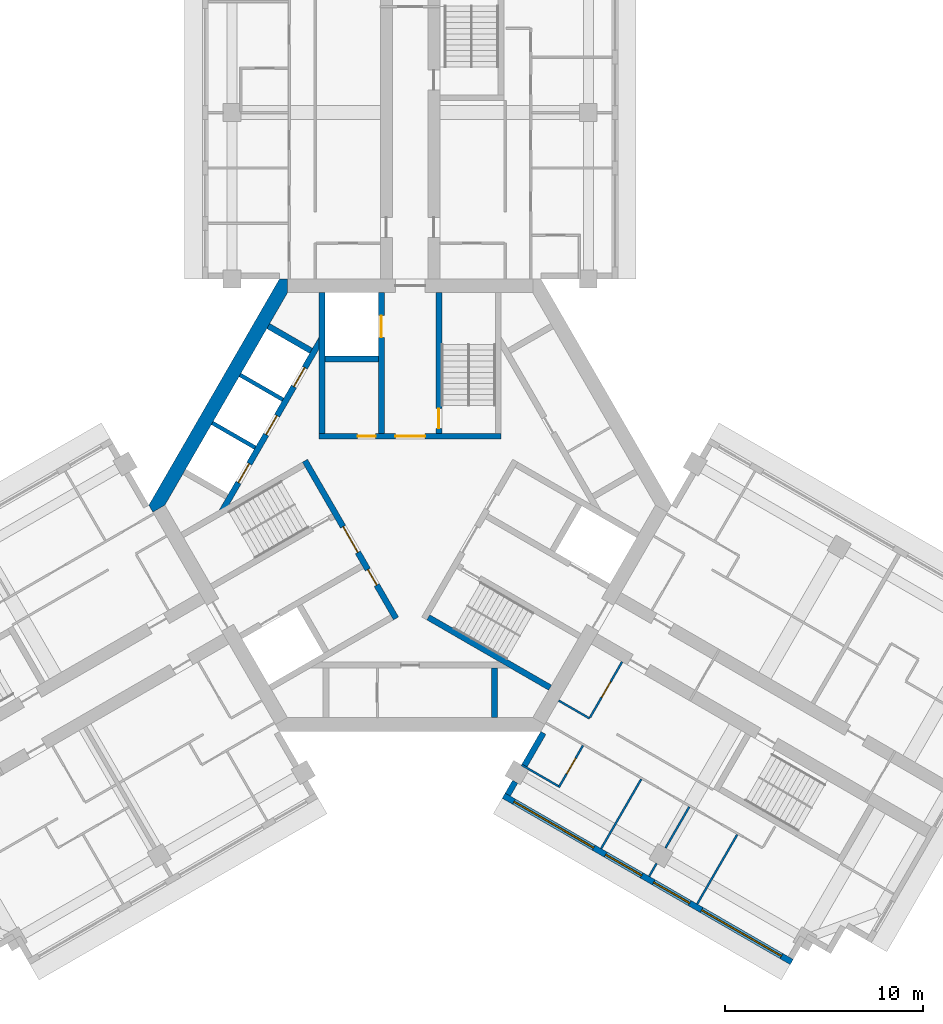
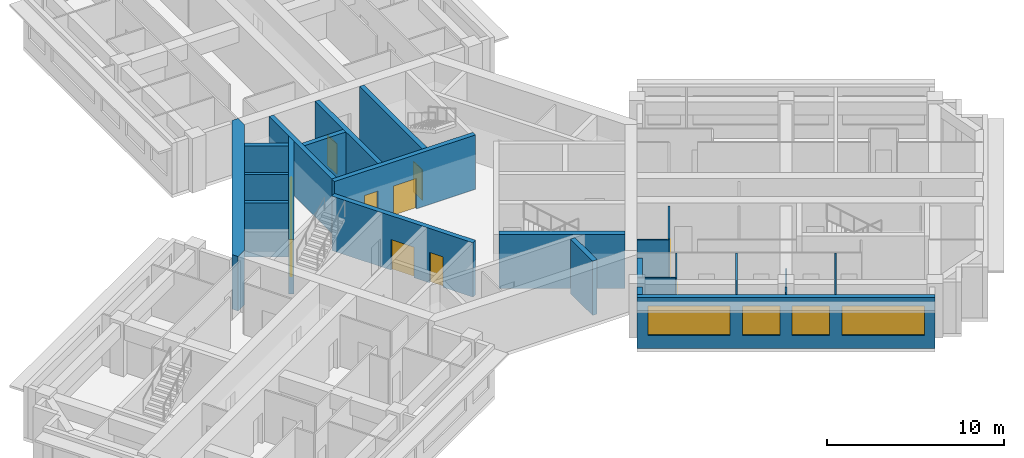
# One storey, part 4 of 10: 24 walls, 11 doors, 4 windows, 15 openings.
"""IFC4 building model written with IfcOpenShell, lengths in metres."""

from ifc_helpers import new_model, si_unit, direction, frame, frame_2d, origin, place, context, subcontext, project, spatial, polyline, rectangle, outline, extrude, material, layer, layer_set, type_object, element, fill, save


model = new_model("IFC4")

# Units and contexts
model_context = context("Model", 3, precision=1e-05, world=origin(), true_north=direction((0.0, 1.0)))
body_context = subcontext(model_context, "Body", "Model", "MODEL_VIEW")
ifc_project = project(units=[si_unit("LENGTHUNIT", "METRE"), si_unit("AREAUNIT", "SQUARE_METRE"), si_unit("VOLUMEUNIT", "CUBIC_METRE"), si_unit("PLANEANGLEUNIT", "RADIAN"), si_unit("MASSUNIT", "GRAM", prefix="KILO")], contexts=[model_context])

# Site, building, storey
site_placement = place(None, origin())
site = spatial("IfcSite", under=ifc_project, at=site_placement, CompositionType="ELEMENT")
building_placement = place(site_placement, origin())
building = spatial("IfcBuilding", under=site, at=building_placement, Name="Impinga Residences", CompositionType="ELEMENT")
storey_placement = place(building_placement, frame((0.0, 0.0, 252.25)))
storey = spatial("IfcBuildingStorey", under=building, at=storey_placement, Name="L63", CompositionType="ELEMENT", Elevation=252.25)

# Wall, openings, windows
ifc_material_1 = material(Name="Terracotta rainscreen on blockwork", Category="masonry")
ifc_layer_1 = layer(ifc_material_1, 0.300048828125)
ifc_layer_set_1 = layer_set([ifc_layer_1], Name="EW1 external wall, terracotta rainscreen on blockwork 300")
wall_type_1 = type_object("IfcWallType", Name="EW1 external wall, terracotta rainscreen on blockwork 300", PredefinedType="SOLIDWALL", material=ifc_layer_set_1)
wall_1_placement = place(storey_placement, frame((19.274169921875, -23.0791015625, 0.0), z_axis=(0.0, 0.0, 1.0), x_axis=(-0.86602562146, 0.499999622975, 0.0)))
wall_1 = element("IfcWall", 1, at=wall_1_placement, inside=storey, type_object=wall_type_1, Name="External wall EW1 L63", PredefinedType="SOLIDWALL", context=body_context, shape_type="SweptSolid", body=[
    extrude(rectangle(XDim=16.7998046875, YDim=0.300048828125, at=frame_2d((8.39990234375, 0.0))), origin(), (0.0, 0.0, 1.0), 3.530029296875),
])
opening_1_placement = place(wall_1_placement, frame((0.60009765625, 0.0, 0.89990234375)))
opening_1 = element("IfcOpeningElement", 2, at=opening_1_placement, cuts=wall_1, Name="Opening W10", PredefinedType="OPENING", context=body_context, shape_type="SweptSolid", body=[
    extrude(rectangle(XDim=4.64990234375, YDim=2.050048828125, at=frame_2d((2.324951171875, 1.02490234375))), frame((0.0, 0.159912109375, 0.0), z_axis=(0.0, -1.0, 0.0), x_axis=(1.0, 0.0, 0.0)), (0.0, 0.0, 1.0), 0.320068359375),
])
opening_2_placement = place(wall_1_placement, frame((5.949951171875, 0.0, 0.89990234375)))
opening_2 = element("IfcOpeningElement", 3, at=opening_2_placement, cuts=wall_1, Name="Opening W9", PredefinedType="OPENING", context=body_context, shape_type="SweptSolid", body=[
    extrude(rectangle(XDim=2.10009765625, YDim=2.050048828125, at=frame_2d((1.050048828125, 1.02490234375))), frame((0.0, 0.159912109375, 0.0), z_axis=(0.0, -1.0, 0.0), x_axis=(1.0, 0.0, 0.0)), (0.0, 0.0, 1.0), 0.320068359375),
])
opening_3_placement = place(wall_1_placement, frame((8.75, 0.0, 0.89990234375)))
opening_3 = element("IfcOpeningElement", 4, at=opening_3_placement, cuts=wall_1, Name="Opening W9", PredefinedType="OPENING", context=body_context, shape_type="SweptSolid", body=[
    extrude(rectangle(XDim=2.10009765625, YDim=2.050048828125, at=frame_2d((1.050048828125, 1.02490234375))), frame((0.0, 0.159912109375, 0.0), z_axis=(0.0, -1.0, 0.0), x_axis=(1.0, 0.0, 0.0)), (0.0, 0.0, 1.0), 0.320068359375),
])
opening_4_placement = place(wall_1_placement, frame((11.550048828125, 0.0, 0.89990234375)))
opening_4 = element("IfcOpeningElement", 5, at=opening_4_placement, cuts=wall_1, Name="Opening W10", PredefinedType="OPENING", context=body_context, shape_type="SweptSolid", body=[
    extrude(rectangle(XDim=4.64990234375, YDim=2.050048828125, at=frame_2d((2.324951171875, 1.02490234375))), frame((0.0, 0.159912109375, 0.0), z_axis=(0.0, -1.0, 0.0), x_axis=(1.0, 0.0, 0.0)), (0.0, 0.0, 1.0), 0.320068359375),
])
ifc_material_2 = material(Name="Aluminium window, clear double glazing", Category="aluminium")
window_type_1 = type_object("IfcWindowType", Name="W10 ribbon window 4650x2050", PartitioningType="SINGLE_PANEL", PredefinedType="WINDOW", material=ifc_material_2)
window_1_placement = place(opening_1_placement, origin())
window_1 = element("IfcWindow", 6, at=window_1_placement, inside=storey, type_object=window_type_1, Name="Window L63", OverallHeight=2.050048828125, OverallWidth=4.64990234375, PartitioningType="SINGLE_PANEL", PredefinedType="WINDOW", context=body_context, shape_type="SweptSolid", body=[
    extrude(rectangle(XDim=4.64990234375, YDim=2.050048828125, at=frame_2d((2.324951171875, 1.02490234375))), frame((0.0, 0.030029296875, 0.0), z_axis=(0.0, -1.0, 0.0), x_axis=(1.0, 0.0, 0.0)), (0.0, 0.0, 1.0), 0.06005859375),
])
fill(opening_1, window_1)
window_2_placement = place(opening_4_placement, origin())
window_2 = element("IfcWindow", 7, at=window_2_placement, inside=storey, type_object=window_type_1, Name="Window L63", OverallHeight=2.050048828125, OverallWidth=4.64990234375, PartitioningType="SINGLE_PANEL", PredefinedType="WINDOW", context=body_context, shape_type="SweptSolid", body=[
    extrude(rectangle(XDim=4.64990234375, YDim=2.050048828125, at=frame_2d((2.324951171875, 1.02490234375))), frame((0.0, 0.030029296875, 0.0), z_axis=(0.0, -1.0, 0.0), x_axis=(1.0, 0.0, 0.0)), (0.0, 0.0, 1.0), 0.06005859375),
])
fill(opening_4, window_2)
window_type_2 = type_object("IfcWindowType", Name="W9 ribbon window 2100x2050", PartitioningType="SINGLE_PANEL", PredefinedType="WINDOW", material=ifc_material_2)
window_3_placement = place(opening_2_placement, origin())
window_3 = element("IfcWindow", 8, at=window_3_placement, inside=storey, type_object=window_type_2, Name="Window L63", OverallHeight=2.050048828125, OverallWidth=2.10009765625, PartitioningType="SINGLE_PANEL", PredefinedType="WINDOW", context=body_context, shape_type="SweptSolid", body=[
    extrude(rectangle(XDim=2.10009765625, YDim=2.050048828125, at=frame_2d((1.050048828125, 1.02490234375))), frame((0.0, 0.030029296875, 0.0), z_axis=(0.0, -1.0, 0.0), x_axis=(1.0, 0.0, 0.0)), (0.0, 0.0, 1.0), 0.06005859375),
])
fill(opening_2, window_3)
window_4_placement = place(opening_3_placement, origin())
window_4 = element("IfcWindow", 9, at=window_4_placement, inside=storey, type_object=window_type_2, Name="Window L63", OverallHeight=2.050048828125, OverallWidth=2.10009765625, PartitioningType="SINGLE_PANEL", PredefinedType="WINDOW", context=body_context, shape_type="SweptSolid", body=[
    extrude(rectangle(XDim=2.10009765625, YDim=2.050048828125, at=frame_2d((1.050048828125, 1.02490234375))), frame((0.0, 0.030029296875, 0.0), z_axis=(0.0, -1.0, 0.0), x_axis=(1.0, 0.0, 0.0)), (0.0, 0.0, 1.0), 0.06005859375),
])
fill(opening_3, window_4)

# Walls
wall_2_placement = place(storey_placement, frame((4.929931640625, -14.624267578125, 0.0), z_axis=(0.0, 0.0, 1.0), x_axis=(0.499919672301, 0.866071776036, 0.0)))
element("IfcWall", 10, at=wall_2_placement, inside=storey, type_object=wall_type_1, Name="External wall EW1 L63", PredefinedType="SOLIDWALL", context=body_context, shape_type="SweptSolid", body=[
    extrude(rectangle(XDim=0.75, YDim=0.300048828125, at=frame_2d((0.375, 0.0))), origin(), (0.0, 0.0, 1.0), 3.530029296875),
])
wall_3_placement = place(storey_placement, frame((5.7548828125, -13.1953125, 0.0), z_axis=(0.0, 0.0, 1.0), x_axis=(0.500043961785, 0.866000020948, 0.0)))
element("IfcWall", 11, at=wall_3_placement, inside=storey, type_object=wall_type_1, Name="External wall EW1 L63", PredefinedType="SOLIDWALL", context=body_context, shape_type="SweptSolid", body=[
    extrude(rectangle(XDim=1.949951171875, YDim=0.300048828125, at=frame_2d((0.97509765625, 0.0))), origin(), (0.0, 0.0, 1.0), 3.530029296875),
])
ifc_material_3 = material(Name="Gypsum board on steel studs", Category="steel")
ifc_layer_2 = layer(ifc_material_3, 0.10009765625)
ifc_layer_set_2 = layer_set([ifc_layer_2], Name="Gypsum board on steel studs")
wall_type_2 = type_object("IfcWallType", Name="IP1 partition 100", PredefinedType="PARTITIONING", material=ifc_layer_set_2)
wall_4_placement = place(storey_placement, frame((7.5, -9.872802734375, 0.0), z_axis=(0.0, 0.0, 1.0), x_axis=(0.866047807691, -0.499961193289, 0.0)))
element("IfcWall", 12, at=wall_4_placement, inside=storey, type_object=wall_type_2, Name="Partition L63-EF1:DIV0", PredefinedType="PARTITIONING", context=body_context, shape_type="SweptSolid", body=[
    extrude(rectangle(XDim=1.800048828125, YDim=0.10009765625, at=frame_2d((0.89990234375, 0.0))), origin(), (0.0, 0.0, 1.0), 3.530029296875),
])

# Wall, opening, door
wall_5_placement = place(storey_placement, frame((10.708740234375, -7.914794921875, 0.0), z_axis=(0.0, 0.0, 1.0), x_axis=(-0.499984717929, -0.866034226713, 0.0)))
wall_5 = element("IfcWall", 13, at=wall_5_placement, inside=storey, type_object=wall_type_2, Name="Partition L63-EF1:IB1", PredefinedType="PARTITIONING", context=body_context, shape_type="SweptSolid", body=[
    extrude(rectangle(XDim=3.25, YDim=0.10009765625, at=frame_2d((1.625, 0.0))), origin(), (0.0, 0.0, 1.0), 3.530029296875),
])
opening_5_placement = place(wall_5_placement, frame((1.175048828125, 0.0, 0.0)))
opening_5 = element("IfcOpeningElement", 14, at=opening_5_placement, cuts=wall_5, Name="Opening D2", PredefinedType="OPENING", context=body_context, shape_type="SweptSolid", body=[
    extrude(rectangle(XDim=0.89990234375, YDim=2.10009765625, at=frame_2d((0.449951171875, 1.050048828125))), frame((0.0, 0.06005859375, 0.0), z_axis=(0.0, -1.0, 0.0), x_axis=(1.0, 0.0, 0.0)), (0.0, 0.0, 1.0), 0.1201171875),
])
ifc_material_4 = material(Name="Timber door set", Category="wood")
door_type_1 = type_object("IfcDoorType", Name="D2 internal door 900x2100", OperationType="SINGLE_SWING_LEFT", PredefinedType="DOOR", material=ifc_material_4)
door_1_placement = place(opening_5_placement, origin())
door_1 = element("IfcDoor", 15, at=door_1_placement, inside=storey, type_object=door_type_1, Name="Apartment L63-EF1 bathroom door", OperationType="SINGLE_SWING_LEFT", OverallHeight=2.10009765625, OverallWidth=0.89990234375, PredefinedType="DOOR", context=body_context, shape_type="SweptSolid", body=[
    extrude(rectangle(XDim=0.89990234375, YDim=2.10009765625, at=frame_2d((0.449951171875, 1.050048828125))), frame((0.0, 0.02490234375, 0.0), z_axis=(0.0, -1.0, 0.0), x_axis=(1.0, 0.0, 0.0)), (0.0, 0.0, 1.0), 0.050048828125),
])
fill(opening_5, door_1)

# Walls
wall_6_placement = place(storey_placement, frame((11.6748046875, -13.841796875, 0.0), z_axis=(0.0, 0.0, 1.0), x_axis=(-0.500035537042, -0.866004885491, 0.0)))
element("IfcWall", 16, at=wall_6_placement, inside=storey, type_object=wall_type_2, Name="Partition L63-EF1:OB1", PredefinedType="PARTITIONING", context=body_context, shape_type="SweptSolid", body=[
    extrude(rectangle(XDim=4.050048828125, YDim=0.10009765625, at=frame_2d((2.02490234375, 0.0))), origin(), (0.0, 0.0, 1.0), 3.530029296875),
])
wall_7_placement = place(storey_placement, frame((14.099609375, -15.241943359375, 0.0), z_axis=(0.0, 0.0, 1.0), x_axis=(-0.500001309137, -0.866024647952, 0.0)))
element("IfcWall", 17, at=wall_7_placement, inside=storey, type_object=wall_type_2, Name="Partition L63-EF1:OB2", PredefinedType="PARTITIONING", context=body_context, shape_type="SweptSolid", body=[
    extrude(rectangle(XDim=2.39990234375, YDim=0.10009765625, at=frame_2d((1.199951171875, 0.0))), origin(), (0.0, 0.0, 1.0), 2.47998046875),
])
wall_8_placement = place(storey_placement, frame((12.44970703125, -18.099609375, 0.0), z_axis=(0.0, 0.0, 1.0), x_axis=(-0.499919672301, -0.866071776036, 0.0)))
element("IfcWall", 18, at=wall_8_placement, inside=storey, type_object=wall_type_2, Name="Partition L63-EF1:OB2b", PredefinedType="PARTITIONING", context=body_context, shape_type="SweptSolid", body=[
    extrude(rectangle(XDim=0.75, YDim=0.10009765625, at=frame_2d((0.375, 0.0))), origin(), (0.0, 0.0, 1.0), 3.530029296875),
])
wall_9_placement = place(storey_placement, frame((16.5244140625, -16.641845703125, 0.0), z_axis=(0.0, 0.0, 1.0), x_axis=(-0.499990325971, -0.866030989016, 0.0)))
element("IfcWall", 19, at=wall_9_placement, inside=storey, type_object=wall_type_2, Name="Partition L63-EF1:OB3", PredefinedType="PARTITIONING", context=body_context, shape_type="SweptSolid", body=[
    extrude(rectangle(XDim=4.0498046875, YDim=0.10009765625, at=frame_2d((2.02490234375, 0.0))), origin(), (0.0, 0.0, 1.0), 3.530029296875),
])

# Wall, opening, door
wall_10_placement = place(storey_placement, frame((8.730224609375, -12.141845703125, 0.0), z_axis=(0.0, 0.0, 1.0), x_axis=(-0.499943856944, -0.866057815567, 0.0)))
wall_10 = element("IfcWall", 20, at=wall_10_placement, inside=storey, type_object=wall_type_2, Name="Partition L63-EF1:EN1", PredefinedType="PARTITIONING", context=body_context, shape_type="SweptSolid", body=[
    extrude(rectangle(XDim=2.449951171875, YDim=0.10009765625, at=frame_2d((1.22509765625, 0.0))), origin(), (0.0, 0.0, 1.0), 3.530029296875),
])
opening_6_placement = place(wall_10_placement, frame((0.75, 0.0, 0.0)))
opening_6 = element("IfcOpeningElement", 21, at=opening_6_placement, cuts=wall_10, Name="Opening D2", PredefinedType="OPENING", context=body_context, shape_type="SweptSolid", body=[
    extrude(rectangle(XDim=0.89990234375, YDim=2.10009765625, at=frame_2d((0.449951171875, 1.050048828125))), frame((0.0, 0.06005859375, 0.0), z_axis=(0.0, -1.0, 0.0), x_axis=(1.0, 0.0, 0.0)), (0.0, 0.0, 1.0), 0.1201171875),
])
door_2_placement = place(opening_6_placement, origin())
door_2 = element("IfcDoor", 22, at=door_2_placement, inside=storey, type_object=door_type_1, Name="Apartment L63-EF1 en-suite door", OperationType="SINGLE_SWING_LEFT", OverallHeight=2.10009765625, OverallWidth=0.89990234375, PredefinedType="DOOR", context=body_context, shape_type="SweptSolid", body=[
    extrude(rectangle(XDim=0.89990234375, YDim=2.10009765625, at=frame_2d((0.449951171875, 1.050048828125))), frame((0.0, 0.02490234375, 0.0), z_axis=(0.0, -1.0, 0.0), x_axis=(1.0, 0.0, 0.0)), (0.0, 0.0, 1.0), 0.050048828125),
])
fill(opening_6, door_2)

# Walls
wall_11_placement = place(storey_placement, frame((5.625, -13.120361328125, 0.0), z_axis=(0.0, 0.0, 1.0), x_axis=(0.866047553582, -0.499961633463, 0.0)))
element("IfcWall", 23, at=wall_11_placement, inside=storey, type_object=wall_type_2, Name="Partition L63-EF1:EN2", PredefinedType="PARTITIONING", context=body_context, shape_type="SweptSolid", body=[
    extrude(rectangle(XDim=2.150146484375, YDim=0.10009765625, at=frame_2d((1.0751953125, 0.0))), origin(), (0.0, 0.0, 1.0), 3.530029296875),
])
ifc_material_5 = material(Name="Concrete C60/75", Category="concrete")
ifc_layer_3 = layer(ifc_material_5, 0.699951171875)
ifc_layer_set_3 = layer_set([ifc_layer_3], Name="Concrete C60/75")
wall_type_3 = type_object("IfcWallType", Name="SW3 core wall 700", PredefinedType="SHEAR", material=ifc_layer_set_3)
wall_12_placement = place(storey_placement, origin())
element("IfcWall", 24, at=wall_12_placement, inside=storey, type_object=wall_type_3, Name="Core wall SW3 E:EXPOSED L63", PredefinedType="SHEAR", context=body_context, shape_type="SweptSolid", body=[
    extrude(outline(polyline([(-6.60009765625, 11.431640625), (-13.199951171875, 0.0), (-12.998046875, -0.35009765625), (-12.3916015625, 0.0), (-6.19580078125, 10.7314453125), (-6.19580078125, 11.431640625), (-6.60009765625, 11.431640625)])), origin(), (0.0, 0.0, 1.0), 3.75),
])

# Wall, openings, doors
ifc_material_6 = material(Name="Concrete C70/85", Category="concrete")
ifc_layer_4 = layer(ifc_material_6, 0.300048828125)
ifc_layer_set_4 = layer_set([ifc_layer_4], Name="Concrete C70/85")
wall_type_4 = type_object("IfcWallType", Name="SW5 core inner wall, stairs, shafts and lobbies 300", PredefinedType="SHEAR", material=ifc_layer_set_4)
wall_13_placement = place(storey_placement, frame((-4.60009765625, 3.47998046875, 0.0), z_axis=(0.0, 0.0, 1.0), x_axis=(1.0, 0.0, 0.0)))
wall_13 = element("IfcWall", 25, at=wall_13_placement, inside=storey, type_object=wall_type_4, Name="Core wall SW5 N:ZONE L63", PredefinedType="SHEAR", context=body_context, shape_type="SweptSolid", body=[
    extrude(rectangle(XDim=9.2001953125, YDim=0.300048828125, at=frame_2d((4.60009765625, 0.0))), origin(), (0.0, 0.0, 1.0), 3.75),
])
opening_7_placement = place(wall_13_placement, frame((3.85009765625, 0.0, 0.0)))
opening_7 = element("IfcOpeningElement", 26, at=opening_7_placement, cuts=wall_13, Name="Opening D4", PredefinedType="OPENING", context=body_context, shape_type="SweptSolid", body=[
    extrude(rectangle(XDim=1.5, YDim=2.10009765625, at=frame_2d((0.75, 1.050048828125))), frame((0.0, 0.159912109375, 0.0), z_axis=(0.0, -1.0, 0.0), x_axis=(1.0, 0.0, 0.0)), (0.0, 0.0, 1.0), 0.320068359375),
])
opening_8_placement = place(wall_13_placement, frame((1.949951171875, 0.0, 0.0)))
opening_8 = element("IfcOpeningElement", 27, at=opening_8_placement, cuts=wall_13, Name="Opening D6", PredefinedType="OPENING", context=body_context, shape_type="SweptSolid", body=[
    extrude(rectangle(XDim=0.89990234375, YDim=2.10009765625, at=frame_2d((0.449951171875, 1.050048828125))), frame((0.0, 0.159912109375, 0.0), z_axis=(0.0, -1.0, 0.0), x_axis=(1.0, 0.0, 0.0)), (0.0, 0.0, 1.0), 0.320068359375),
])
door_type_2 = type_object("IfcDoorType", Name="D4 lobby door pair 1500x2100", OperationType="DOUBLE_DOOR_DOUBLE_SWING", PredefinedType="DOOR", material=ifc_material_4)
door_3_placement = place(opening_7_placement, origin())
door_3 = element("IfcDoor", 28, at=door_3_placement, inside=storey, type_object=door_type_2, Name="Firefighting lobby door N", OperationType="DOUBLE_DOOR_DOUBLE_SWING", OverallHeight=2.10009765625, OverallWidth=1.5, PredefinedType="DOOR", context=body_context, shape_type="SweptSolid", body=[
    extrude(rectangle(XDim=1.5, YDim=2.10009765625, at=frame_2d((0.75, 1.050048828125))), frame((0.0, 0.02490234375, 0.0), z_axis=(0.0, -1.0, 0.0), x_axis=(1.0, 0.0, 0.0)), (0.0, 0.0, 1.0), 0.050048828125),
])
fill(opening_7, door_3)
door_type_3 = type_object("IfcDoorType", Name="D6 riser and store door 900x2100", OperationType="SINGLE_SWING_LEFT", PredefinedType="DOOR", material=ifc_material_4)
door_4_placement = place(opening_8_placement, origin())
door_4 = element("IfcDoor", 29, at=door_4_placement, inside=storey, type_object=door_type_3, Name="Riser door N", OperationType="SINGLE_SWING_LEFT", OverallHeight=2.10009765625, OverallWidth=0.89990234375, PredefinedType="DOOR", context=body_context, shape_type="SweptSolid", body=[
    extrude(rectangle(XDim=0.89990234375, YDim=2.10009765625, at=frame_2d((0.449951171875, 1.050048828125))), frame((0.0, 0.02490234375, 0.0), z_axis=(0.0, -1.0, 0.0), x_axis=(1.0, 0.0, 0.0)), (0.0, 0.0, 1.0), 0.050048828125),
])
fill(opening_8, door_4)

# Wall, opening, door
wall_14_placement = place(storey_placement, frame((1.449951171875, 3.6298828125, 0.0), z_axis=(0.0, 0.0, 1.0), x_axis=(0.0, 1.0, 0.0)))
wall_14 = element("IfcWall", 30, at=wall_14_placement, inside=storey, type_object=wall_type_4, Name="Core wall SW5 N:ST-IN L63", PredefinedType="SHEAR", context=body_context, shape_type="SweptSolid", body=[
    extrude(rectangle(XDim=7.1015625, YDim=0.300048828125, at=frame_2d((3.55078125, 0.0))), origin(), (0.0, 0.0, 1.0), 3.75),
])
opening_9_placement = place(wall_14_placement, frame((0.25, 0.0, 0.0)))
opening_9 = element("IfcOpeningElement", 31, at=opening_9_placement, cuts=wall_14, Name="Opening D5", PredefinedType="OPENING", context=body_context, shape_type="SweptSolid", body=[
    extrude(rectangle(XDim=1.0, YDim=2.10009765625, at=frame_2d((0.5, 1.050048828125))), frame((0.0, 0.159912109375, 0.0), z_axis=(0.0, -1.0, 0.0), x_axis=(1.0, 0.0, 0.0)), (0.0, 0.0, 1.0), 0.320068359375),
])
door_type_4 = type_object("IfcDoorType", Name="D5 stair door 1000x2100", OperationType="SINGLE_SWING_LEFT", PredefinedType="DOOR", material=ifc_material_4)
door_5_placement = place(opening_9_placement, origin())
door_5 = element("IfcDoor", 32, at=door_5_placement, inside=storey, type_object=door_type_4, Name="Stair door N", OperationType="SINGLE_SWING_LEFT", OverallHeight=2.10009765625, OverallWidth=1.0, PredefinedType="DOOR", context=body_context, shape_type="SweptSolid", body=[
    extrude(rectangle(XDim=1.0, YDim=2.10009765625, at=frame_2d((0.5, 1.050048828125))), frame((0.0, 0.02490234375, 0.0), z_axis=(0.0, -1.0, 0.0), x_axis=(1.0, 0.0, 0.0)), (0.0, 0.0, 1.0), 0.050048828125),
])
fill(opening_9, door_5)

wall_15_placement = place(storey_placement, frame((-1.449951171875, 3.6298828125, 0.0), z_axis=(0.0, 0.0, 1.0), x_axis=(0.0, 1.0, 0.0)))
wall_15 = element("IfcWall", 33, at=wall_15_placement, inside=storey, type_object=wall_type_4, Name="Core wall SW5 N:FF-IN L63", PredefinedType="SHEAR", context=body_context, shape_type="SweptSolid", body=[
    extrude(rectangle(XDim=7.1015625, YDim=0.300048828125, at=frame_2d((3.55078125, 0.0))), origin(), (0.0, 0.0, 1.0), 3.75),
])
opening_10_placement = place(wall_15_placement, frame((4.85009765625, 0.0, 0.0)))
opening_10 = element("IfcOpeningElement", 34, at=opening_10_placement, cuts=wall_15, Name="Opening LD2", PredefinedType="OPENING", context=body_context, shape_type="SweptSolid", body=[
    extrude(rectangle(XDim=1.10009765625, YDim=2.10009765625, at=frame_2d((0.550048828125, 1.050048828125))), frame((0.0, 0.159912109375, 0.0), z_axis=(0.0, -1.0, 0.0), x_axis=(1.0, 0.0, 0.0)), (0.0, 0.0, 1.0), 0.320068359375),
])
ifc_material_7 = material(Name="Steel lift landing door", Category="steel")
door_type_5 = type_object("IfcDoorType", Name="LD2 firefighting lift landing door 1100x2100", OperationType="DOUBLE_DOOR_SLIDING", PredefinedType="DOOR", material=ifc_material_7)
door_6_placement = place(opening_10_placement, origin())
door_6 = element("IfcDoor", 35, at=door_6_placement, inside=storey, type_object=door_type_5, Name="Firefighting lift landing door F1", OperationType="DOUBLE_DOOR_SLIDING", OverallHeight=2.10009765625, OverallWidth=1.10009765625, PredefinedType="DOOR", context=body_context, shape_type="SweptSolid", body=[
    extrude(rectangle(XDim=1.10009765625, YDim=2.10009765625, at=frame_2d((0.550048828125, 1.050048828125))), frame((0.0, 0.02490234375, 0.0), z_axis=(0.0, -1.0, 0.0), x_axis=(1.0, 0.0, 0.0)), (0.0, 0.0, 1.0), 0.050048828125),
])
fill(opening_10, door_6)

# Walls
wall_16_placement = place(storey_placement, frame((-4.449951171875, 3.6298828125, 0.0), z_axis=(0.0, 0.0, 1.0), x_axis=(0.0, 1.0, 0.0)))
element("IfcWall", 36, at=wall_16_placement, inside=storey, type_object=wall_type_4, Name="Core wall SW5 N:FF-OUT L63", PredefinedType="SHEAR", context=body_context, shape_type="SweptSolid", body=[
    extrude(rectangle(XDim=7.1015625, YDim=0.300048828125, at=frame_2d((3.55078125, 0.0))), origin(), (0.0, 0.0, 1.0), 3.75),
])
wall_17_placement = place(storey_placement, frame((-4.300048828125, 7.3798828125, 0.0), z_axis=(0.0, 0.0, 1.0), x_axis=(1.0, 0.0, 0.0)))
element("IfcWall", 37, at=wall_17_placement, inside=storey, type_object=wall_type_4, Name="Core wall SW5 N:FF-RS L63", PredefinedType="SHEAR", context=body_context, shape_type="SweptSolid", body=[
    extrude(rectangle(XDim=2.699951171875, YDim=0.300048828125, at=frame_2d((1.35009765625, 0.0))), origin(), (0.0, 0.0, 1.0), 3.75),
])

# Wall, openings, doors
wall_18_placement = place(storey_placement, frame((-0.7138671875, -5.7236328125, 0.0), z_axis=(0.0, 0.0, 1.0), x_axis=(-0.499995050369, 0.866028261437, 0.0)))
wall_18 = element("IfcWall", 38, at=wall_18_placement, inside=storey, type_object=wall_type_4, Name="Core wall SW5 W:ZONE L63", PredefinedType="SHEAR", context=body_context, shape_type="SweptSolid", body=[
    extrude(rectangle(XDim=9.19970703125, YDim=0.300048828125, at=frame_2d((4.599853515625, 0.0))), origin(), (0.0, 0.0, 1.0), 3.75),
])
opening_11_placement = place(wall_18_placement, frame((3.85009765625, 0.0, 0.0)))
opening_11 = element("IfcOpeningElement", 39, at=opening_11_placement, cuts=wall_18, Name="Opening D4", PredefinedType="OPENING", context=body_context, shape_type="SweptSolid", body=[
    extrude(rectangle(XDim=1.5, YDim=2.10009765625, at=frame_2d((0.75, 1.050048828125))), frame((0.0, 0.159912109375, 0.0), z_axis=(0.0, -1.0, 0.0), x_axis=(1.0, 0.0, 0.0)), (0.0, 0.0, 1.0), 0.320068359375),
])
opening_12_placement = place(wall_18_placement, frame((1.949951171875, 0.0, 0.0)))
opening_12 = element("IfcOpeningElement", 40, at=opening_12_placement, cuts=wall_18, Name="Opening D6", PredefinedType="OPENING", context=body_context, shape_type="SweptSolid", body=[
    extrude(rectangle(XDim=0.89990234375, YDim=2.10009765625, at=frame_2d((0.449951171875, 1.050048828125))), frame((0.0, 0.159912109375, 0.0), z_axis=(0.0, -1.0, 0.0), x_axis=(1.0, 0.0, 0.0)), (0.0, 0.0, 1.0), 0.320068359375),
])
door_7_placement = place(opening_11_placement, origin())
door_7 = element("IfcDoor", 41, at=door_7_placement, inside=storey, type_object=door_type_2, Name="Firefighting lobby door W", OperationType="DOUBLE_DOOR_DOUBLE_SWING", OverallHeight=2.10009765625, OverallWidth=1.5, PredefinedType="DOOR", context=body_context, shape_type="SweptSolid", body=[
    extrude(rectangle(XDim=1.5, YDim=2.10009765625, at=frame_2d((0.75, 1.050048828125))), frame((0.0, 0.02490234375, 0.0), z_axis=(0.0, -1.0, 0.0), x_axis=(1.0, 0.0, 0.0)), (0.0, 0.0, 1.0), 0.050048828125),
])
fill(opening_11, door_7)
door_8_placement = place(opening_12_placement, origin())
door_8 = element("IfcDoor", 42, at=door_8_placement, inside=storey, type_object=door_type_3, Name="Riser door W", OperationType="SINGLE_SWING_LEFT", OverallHeight=2.10009765625, OverallWidth=0.89990234375, PredefinedType="DOOR", context=body_context, shape_type="SweptSolid", body=[
    extrude(rectangle(XDim=0.89990234375, YDim=2.10009765625, at=frame_2d((0.449951171875, 1.050048828125))), frame((0.0, 0.02490234375, 0.0), z_axis=(0.0, -1.0, 0.0), x_axis=(1.0, 0.0, 0.0)), (0.0, 0.0, 1.0), 0.050048828125),
])
fill(opening_12, door_8)

# Walls
wall_19_placement = place(storey_placement, frame((0.918701171875, -5.668701171875, 0.0), z_axis=(0.0, 0.0, 1.0), x_axis=(0.866025859768, -0.499999210213, 0.0)))
element("IfcWall", 43, at=wall_19_placement, inside=storey, type_object=wall_type_4, Name="Core wall SW5 E:ST-OUT L63", PredefinedType="SHEAR", context=body_context, shape_type="SweptSolid", body=[
    extrude(rectangle(XDim=7.1015625, YDim=0.300048828125, at=frame_2d((3.55078125, 0.0))), origin(), (0.0, 0.0, 1.0), 3.75),
])
wall_20_placement = place(storey_placement, frame((4.25, -8.2314453125, 0.0), z_axis=(0.0, 0.0, 1.0), x_axis=(0.0, -1.0, 0.0)))
element("IfcWall", 44, at=wall_20_placement, inside=storey, type_object=wall_type_4, Name="Core wall SW5 N:BANK-L L63", PredefinedType="SHEAR", context=body_context, shape_type="SweptSolid", body=[
    extrude(rectangle(XDim=2.5, YDim=0.300048828125, at=frame_2d((1.25, 0.0))), origin(), (0.0, 0.0, 1.0), 3.75),
])

# Wall, openings, doors
wall_21_placement = place(storey_placement, frame((-9.547607421875, -0.3740234375, 0.0), z_axis=(0.0, 0.0, 1.0), x_axis=(0.500002290144, 0.866024081565, 0.0)))
wall_21 = element("IfcWall", 45, at=wall_21_placement, inside=storey, type_object=wall_type_4, Name="Core wall SW5 E:BANK-FRONT L63", PredefinedType="SHEAR", context=body_context, shape_type="SweptSolid", body=[
    extrude(rectangle(XDim=10.1953125, YDim=0.300048828125, at=frame_2d((5.09765625, 0.0))), origin(), (0.0, 0.0, 1.0), 3.75),
])
opening_13_placement = place(wall_21_placement, frame((1.74755859375, 0.0, 0.0)))
opening_13 = element("IfcOpeningElement", 46, at=opening_13_placement, cuts=wall_21, Name="Opening LD1", PredefinedType="OPENING", context=body_context, shape_type="SweptSolid", body=[
    extrude(rectangle(XDim=1.10009765625, YDim=2.10009765625, at=frame_2d((0.550048828125, 1.050048828125))), frame((0.0, 0.159912109375, 0.0), z_axis=(0.0, -1.0, 0.0), x_axis=(1.0, 0.0, 0.0)), (0.0, 0.0, 1.0), 0.320068359375),
])
opening_14_placement = place(wall_21_placement, frame((4.547607421875, 0.0, 0.0)))
opening_14 = element("IfcOpeningElement", 47, at=opening_14_placement, cuts=wall_21, Name="Opening LD1", PredefinedType="OPENING", context=body_context, shape_type="SweptSolid", body=[
    extrude(rectangle(XDim=1.10009765625, YDim=2.10009765625, at=frame_2d((0.550048828125, 1.050048828125))), frame((0.0, 0.159912109375, 0.0), z_axis=(0.0, -1.0, 0.0), x_axis=(1.0, 0.0, 0.0)), (0.0, 0.0, 1.0), 0.320068359375),
])
opening_15_placement = place(wall_21_placement, frame((7.34765625, 0.0, 0.0)))
opening_15 = element("IfcOpeningElement", 48, at=opening_15_placement, cuts=wall_21, Name="Opening LD1", PredefinedType="OPENING", context=body_context, shape_type="SweptSolid", body=[
    extrude(rectangle(XDim=1.10009765625, YDim=2.10009765625, at=frame_2d((0.550048828125, 1.050048828125))), frame((0.0, 0.159912109375, 0.0), z_axis=(0.0, -1.0, 0.0), x_axis=(1.0, 0.0, 0.0)), (0.0, 0.0, 1.0), 0.320068359375),
])
door_type_6 = type_object("IfcDoorType", Name="LD1 passenger lift landing door 1100x2100", OperationType="DOUBLE_DOOR_SLIDING", PredefinedType="DOOR", material=ifc_material_7)
door_9_placement = place(opening_13_placement, origin())
door_9 = element("IfcDoor", 49, at=door_9_placement, inside=storey, type_object=door_type_6, Name="Lift landing door P7", OperationType="DOUBLE_DOOR_SLIDING", OverallHeight=2.10009765625, OverallWidth=1.10009765625, PredefinedType="DOOR", context=body_context, shape_type="SweptSolid", body=[
    extrude(rectangle(XDim=1.10009765625, YDim=2.10009765625, at=frame_2d((0.550048828125, 1.050048828125))), frame((0.0, 0.02490234375, 0.0), z_axis=(0.0, -1.0, 0.0), x_axis=(1.0, 0.0, 0.0)), (0.0, 0.0, 1.0), 0.050048828125),
])
fill(opening_13, door_9)
door_10_placement = place(opening_14_placement, origin())
door_10 = element("IfcDoor", 50, at=door_10_placement, inside=storey, type_object=door_type_6, Name="Lift landing door P8", OperationType="DOUBLE_DOOR_SLIDING", OverallHeight=2.10009765625, OverallWidth=1.10009765625, PredefinedType="DOOR", context=body_context, shape_type="SweptSolid", body=[
    extrude(rectangle(XDim=1.10009765625, YDim=2.10009765625, at=frame_2d((0.550048828125, 1.050048828125))), frame((0.0, 0.02490234375, 0.0), z_axis=(0.0, -1.0, 0.0), x_axis=(1.0, 0.0, 0.0)), (0.0, 0.0, 1.0), 0.050048828125),
])
fill(opening_14, door_10)
door_11_placement = place(opening_15_placement, origin())
door_11 = element("IfcDoor", 51, at=door_11_placement, inside=storey, type_object=door_type_6, Name="Lift landing door P9", OperationType="DOUBLE_DOOR_SLIDING", OverallHeight=2.10009765625, OverallWidth=1.10009765625, PredefinedType="DOOR", context=body_context, shape_type="SweptSolid", body=[
    extrude(rectangle(XDim=1.10009765625, YDim=2.10009765625, at=frame_2d((0.550048828125, 1.050048828125))), frame((0.0, 0.02490234375, 0.0), z_axis=(0.0, -1.0, 0.0), x_axis=(1.0, 0.0, 0.0)), (0.0, 0.0, 1.0), 0.050048828125),
])
fill(opening_15, door_11)

# Walls
wall_22_placement = place(storey_placement, frame((-5.003662109375, 7.79638671875, 0.0), z_axis=(0.0, 0.0, 1.0), x_axis=(-0.866022959057, 0.500004234368, 0.0)))
element("IfcWall", 52, at=wall_22_placement, inside=storey, type_object=wall_type_4, Name="Core wall SW5 E:BANK-R L63", PredefinedType="SHEAR", context=body_context, shape_type="SweptSolid", body=[
    extrude(rectangle(XDim=2.5, YDim=0.300048828125, at=frame_2d((1.25, 0.0))), origin(), (0.0, 0.0, 1.0), 3.75),
])
ifc_layer_5 = layer(ifc_material_6, 0.199951171875)
ifc_layer_set_5 = layer_set([ifc_layer_5], Name="Concrete C70/85")
wall_type_5 = type_object("IfcWallType", Name="SW6 lift shaft divider wall 200", PredefinedType="SHEAR", material=ifc_layer_set_5)
wall_23_placement = place(storey_placement, frame((-7.82861328125, 2.9033203125, 0.0), z_axis=(0.0, 0.0, 1.0), x_axis=(-0.866047370643, 0.499961950354, 0.0)))
element("IfcWall", 53, at=wall_23_placement, inside=storey, type_object=wall_type_5, Name="Core wall SW6 E:BANK-D1 L63", PredefinedType="SHEAR", context=body_context, shape_type="SweptSolid", body=[
    extrude(rectangle(XDim=2.500244140625, YDim=0.199951171875, at=frame_2d((1.25, 0.0))), origin(), (0.0, 0.0, 1.0), 3.75),
])
wall_24_placement = place(storey_placement, frame((-6.4287109375, 5.328125, 0.0), z_axis=(0.0, 0.0, 1.0), x_axis=(-0.866022959057, 0.500004234368, 0.0)))
element("IfcWall", 54, at=wall_24_placement, inside=storey, type_object=wall_type_5, Name="Core wall SW6 E:BANK-D2 L63", PredefinedType="SHEAR", context=body_context, shape_type="SweptSolid", body=[
    extrude(rectangle(XDim=2.5, YDim=0.199951171875, at=frame_2d((1.25, 0.0))), origin(), (0.0, 0.0, 1.0), 3.75),
])

save(model, "model.ifc")
